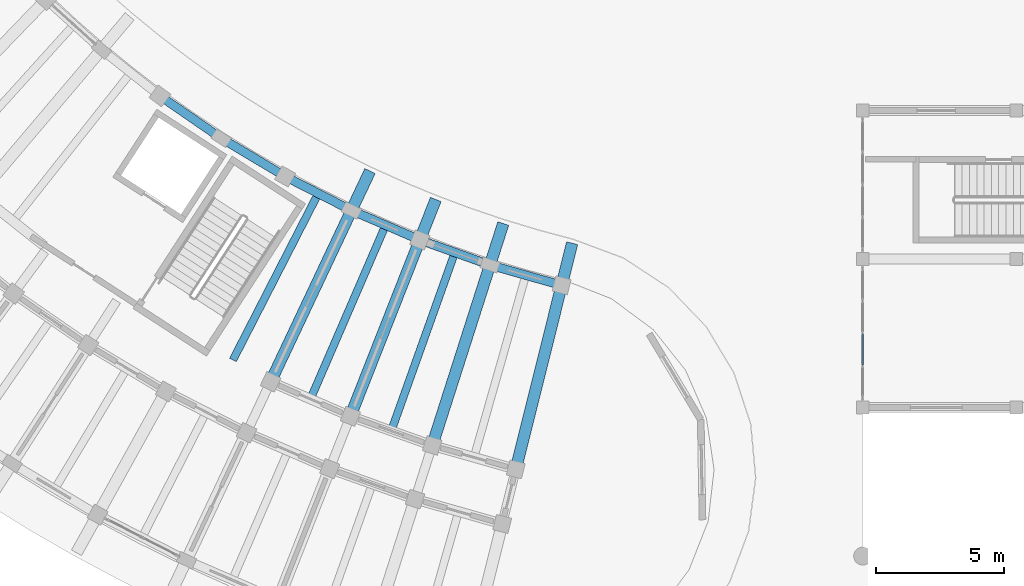
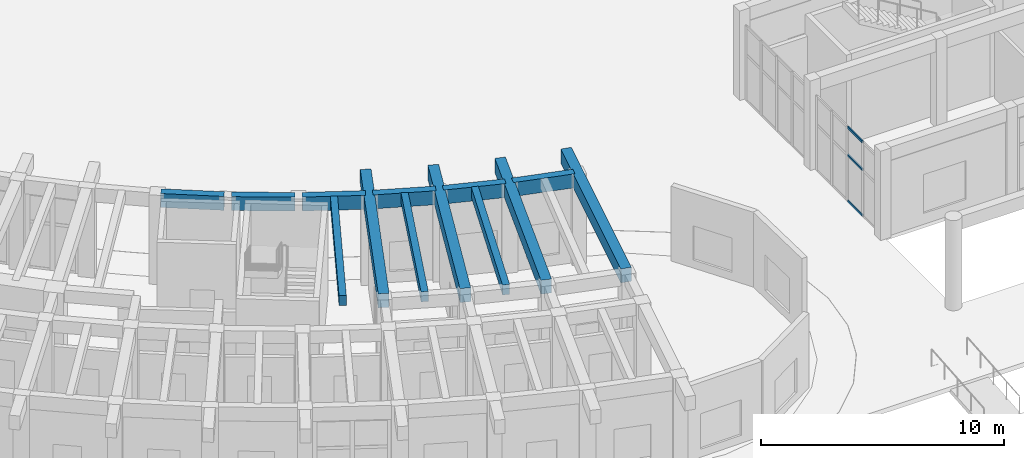
# One storey, part 12 of 132: 13 beams, 3 members, 1 element without a shape of its own.
"""IFC4 building model written with IfcOpenShell, lengths in metres."""

import ifcopenshell
import ifcopenshell.guid

model = None  # the IFC model being written
_history = None  # IfcOwnerHistory: only IFC2X3 demands one
_inside = {}  # id of a spatial element -> (the spatial element, [elements in it])
_under = {}  # id of a project, library or spatial element -> (it, [spatial elements below it])
_declared = {}  # id of a project -> (the project, [libraries it declares])
_typed = {}  # id of a type object -> (the type object, [elements of that type])
_made_of = {}  # id of a material, layer set ... -> (it, [elements and type objects made of it])


def new_model(schema):
    """Start an empty IFC model of exactly this schema.

    Asked for "IFC4X3", IfcOpenShell would pick the latest addendum, in which some entities
    have other attributes; the version numbers below select the first issue.
    IFC2X3 requires an IfcOwnerHistory on every rooted entity: one is made here for all.
    """
    global model, _history
    if schema == "IFC4X3":
        model = ifcopenshell.file(schema_version=(4, 3, 0, 0))
    else:
        model = ifcopenshell.file(schema=schema)
    _inside.clear()
    _under.clear()
    _declared.clear()
    _typed.clear()
    _made_of.clear()
    _history = None
    if model.schema == "IFC2X3":
        org = make("IfcOrganization", Name="unknown")
        user = make(
            "IfcPersonAndOrganization",
            ThePerson=make("IfcPerson", FamilyName="unknown"),
            TheOrganization=org,
        )
        app = make(
            "IfcApplication",
            ApplicationDeveloper=org,
            Version="unknown",
            ApplicationFullName="unknown",
            ApplicationIdentifier="unknown",
        )
        _history = make(
            "IfcOwnerHistory",
            OwningUser=user,
            OwningApplication=app,
            ChangeAction="ADDED",
            CreationDate=0,
        )
    return model


def make(cls, **values):
    """One entity of the class cls with the attributes given. An attribute that is None is left unset."""
    return model.create_entity(
        cls, **{name: value for name, value in values.items() if value is not None}
    )


def rooted(cls, **values):
    """An entity with a GlobalId (a new one), such as an element, a storey or a relation."""
    return make(cls, GlobalId=ifcopenshell.guid.new(), OwnerHistory=_history, **values)


def si_unit(unit_type, name, prefix=None):
    """IfcSIUnit, for example si_unit("LENGTHUNIT", "METRE", prefix="MILLI")."""
    return make("IfcSIUnit", UnitType=unit_type, Prefix=prefix, Name=name)


def assignment(units):
    """IfcUnitAssignment: the units of a project."""
    return None if units is None else make("IfcUnitAssignment", Units=units)


def point(xyz):
    """IfcCartesianPoint."""
    return None if xyz is None else make("IfcCartesianPoint", Coordinates=xyz)


def direction(xyz):
    """IfcDirection."""
    return None if xyz is None else make("IfcDirection", DirectionRatios=xyz)


def frame(location, z_axis=None, x_axis=None):
    """IfcAxis2Placement3D, a coordinate frame: its origin and axes. An axis left out is left unset."""
    return make(
        "IfcAxis2Placement3D",
        Location=point(location),
        Axis=direction(z_axis),
        RefDirection=direction(x_axis),
    )


def frame_2d(location, x_axis=None):
    """IfcAxis2Placement2D, a coordinate frame in the plane: its origin and x axis."""
    return make(
        "IfcAxis2Placement2D", Location=point(location), RefDirection=direction(x_axis)
    )


def origin():
    """The frame at (0, 0, 0) with its axes left unset."""
    return frame((0.0, 0.0, 0.0))


def origin_2d():
    """The frame at (0, 0) in the plane with its x axis left unset."""
    return frame_2d((0.0, 0.0))


def place(relative_to, where):
    """IfcLocalPlacement: puts the frame where relative to a parent placement (None: the world)."""
    return make(
        "IfcLocalPlacement", PlacementRelTo=relative_to, RelativePlacement=where
    )


def context(
    kind, dimensions, precision=None, world=None, true_north=None, identifier=None
):
    """IfcGeometricRepresentationContext, for example the 3D "Model" context."""
    return make(
        "IfcGeometricRepresentationContext",
        ContextIdentifier=identifier,
        ContextType=kind,
        CoordinateSpaceDimension=dimensions,
        Precision=precision,
        WorldCoordinateSystem=world,
        TrueNorth=true_north,
    )


def subcontext(parent, identifier, kind, view, scale=None):
    """IfcGeometricRepresentationSubContext, for example "Body" below "Model"."""
    return make(
        "IfcGeometricRepresentationSubContext",
        ContextIdentifier=identifier,
        ContextType=kind,
        ParentContext=parent,
        TargetScale=scale,
        TargetView=view,
    )


def project(units=None, contexts=None):
    """IfcProject with its units and contexts."""
    return rooted(
        "IfcProject",
        Name="project",
        RepresentationContexts=contexts,
        UnitsInContext=assignment(units),
    )


def spatial(cls, under=None, at=None, **own):
    """A site, building, storey or space (cls), placed at a placement, below another one or the project."""
    s = rooted(cls, ObjectPlacement=at, **own)
    if under is not None:
        _under.setdefault(under.id(), (under, []))[1].append(s)
    return s


def profile(cls, at=None, kind="AREA", **sizes):
    """A parametric profile (cls). Its sizes go by their IFC names, for example OverallWidth=200.0."""
    return make(cls, ProfileType=kind, Position=at, **sizes)


def rectangle(**sizes):
    """IfcRectangleProfileDef."""
    return profile("IfcRectangleProfileDef", **sizes)


def hollow_rectangle(**sizes):
    """IfcRectangleHollowProfileDef."""
    return profile("IfcRectangleHollowProfileDef", **sizes)


def extrude(swept, where, along, depth):
    """IfcExtrudedAreaSolid: the profile swept, set in the frame where, extruded along a direction by depth."""
    return make(
        "IfcExtrudedAreaSolid",
        SweptArea=swept,
        Position=where,
        ExtrudedDirection=direction(along),
        Depth=depth,
    )


def shape(context_of_items, identifier, shape_type, items):
    """IfcShapeRepresentation: the items that make up one representation, for example the "Body"."""
    return make(
        "IfcShapeRepresentation",
        ContextOfItems=context_of_items,
        RepresentationIdentifier=identifier,
        RepresentationType=shape_type,
        Items=items,
    )


def material(Name=None, Category=None):
    """IfcMaterial."""
    return make("IfcMaterial", Name=Name, Category=Category)


def material_profile(
    of_material, cross_section, Name=None, Category=None, Priority=None
):
    """IfcMaterialProfile: a cross section and its material."""
    return make(
        "IfcMaterialProfile",
        Name=Name,
        Material=of_material,
        Profile=cross_section,
        Priority=Priority,
        Category=Category,
    )


def profile_set(profiles, Name=None, composite=None):
    """IfcMaterialProfileSet."""
    return make(
        "IfcMaterialProfileSet",
        Name=Name,
        MaterialProfiles=profiles,
        CompositeProfile=composite,
    )


def made_of(thing, what):
    """Note that an element or type object is made of a material, layer set ...; save() writes the relation."""
    if what is not None:
        _made_of.setdefault(what.id(), (what, []))[1].append(thing)
    return thing


def type_object(cls, material=None, **own):
    """A type object (cls), such as IfcWallType, which elements share."""
    return made_of(rooted(cls, **own), material)


def element(
    cls,
    number,
    at=None,
    inside=None,
    cuts=None,
    type_object=None,
    material=None,
    context=None,
    identifier="Body",
    shape_type=None,
    held_by="IfcProductDefinitionShape",
    body=None,
    shapes=None,
    **own,
):
    """One element of the class cls, such as IfcWall. Its Tag is "e" and its number.

    at: its placement. inside: the storey or other place that contains it. cuts: it is an
    opening in that element (IfcRelVoidsElement). A single representation is given by context,
    identifier, shape_type and body (its items); several are given by shapes. held_by: the class
    of the entity that holds the representations. save() writes the other relations.
    """
    e = rooted(cls, Tag="e%d" % number, ObjectPlacement=at, **own)
    if body is not None:
        shapes = [shape(context, identifier, shape_type, body)]
    if shapes is not None:
        e.Representation = make(held_by, Representations=shapes)
    if inside is not None:
        _inside.setdefault(inside.id(), (inside, []))[1].append(e)
    if cuts is not None:
        rooted(
            "IfcRelVoidsElement", RelatingBuildingElement=cuts, RelatedOpeningElement=e
        )
    if type_object is not None:
        _typed.setdefault(type_object.id(), (type_object, []))[1].append(e)
    return made_of(e, material)


def aggregate(whole, parts):
    """IfcRelAggregates: a whole, such as a stair, and the parts it consists of."""
    return rooted("IfcRelAggregates", RelatingObject=whole, RelatedObjects=parts)


def save(model, path):
    """Write the relations noted so far, then the file.

    IfcRelAggregates (storeys below a building ...), IfcRelContainedInSpatialStructure (elements
    in a storey), IfcRelDefinesByType, IfcRelAssociatesMaterial and IfcRelDeclares: one each for
    every whole, place, type object, material and project.
    """
    for whole, parts in _under.values():
        aggregate(whole, parts)
    for where, things in _inside.values():
        rooted(
            "IfcRelContainedInSpatialStructure",
            RelatedElements=things,
            RelatingStructure=where,
        )
    for kind, things in _typed.values():
        rooted("IfcRelDefinesByType", RelatedObjects=things, RelatingType=kind)
    for what, things in _made_of.values():
        rooted("IfcRelAssociatesMaterial", RelatedObjects=things, RelatingMaterial=what)
    for by, libraries in _declared.values():
        rooted("IfcRelDeclares", RelatingContext=by, RelatedDefinitions=libraries)
    model.write(path)


model = new_model("IFC4")

# Units and contexts
model_context = context("Model", 3, precision=1e-05, world=origin(), true_north=direction((0.0, 1.0)))
body_context = subcontext(model_context, "Body", "Model", "MODEL_VIEW")
ifc_project = project(units=[si_unit("LENGTHUNIT", "METRE"), si_unit("AREAUNIT", "SQUARE_METRE"), si_unit("VOLUMEUNIT", "CUBIC_METRE"), si_unit("PLANEANGLEUNIT", "RADIAN"), si_unit("MASSUNIT", "GRAM", prefix="KILO")], contexts=[model_context])

# Site, building, storey
site_placement = place(None, origin())
site = spatial("IfcSite", under=ifc_project, at=site_placement, CompositionType="ELEMENT")
building_placement = place(site_placement, origin())
building = spatial("IfcBuilding", under=site, at=building_placement, Name="Tanwirah Colonnade Gardens", CompositionType="ELEMENT")
storey_placement = place(building_placement, origin())
storey = spatial("IfcBuildingStorey", under=building, at=storey_placement, Name="L00", CompositionType="ELEMENT", Elevation=0.0)

# Beams
ifc_material_1 = material(Name="Precast concrete C45/55", Category="concrete")
ifc_material_profile_1 = material_profile(ifc_material_1, rectangle(XDim=0.449951171875, YDim=0.699951171875, at=origin_2d()), Name="PC-BM 450x700")
ifc_profile_set_1 = profile_set([ifc_material_profile_1], Name="Precast concrete C45/55")
beam_type_1 = type_object("IfcBeamType", Name="BM-PC450", PredefinedType="BEAM", material=ifc_profile_set_1)
for number, where, z_axis, x_axis, name in (
    (1, (42.9462890625, 17.73974609375, 4.135009765625), (0.426582468098, 0.904448670689, 0.0), (-0.904448670689, 0.426582468098, 0.0), "Block C L00 Inner Radial Precast Girder 13"),
    (2, (46.052001953125, 16.3974609375, 4.135009765625), (0.36648945479, 0.930422204984, 0.0), (-0.930422204984, 0.36648945479, 0.0), "Block C L00 Inner Radial Precast Girder 14"),
    (3, (49.238525390625, 15.26123046875, 4.135009765625), (0.304862826508, 0.952396270999, 0.0), (-0.952396270999, 0.304862826508, 0.0), "Block C L00 Inner Radial Precast Girder 15"),
    (4, (52.49267578125, 14.335693359375, 4.135009765625), (0.241932243826, 0.970293146115, 0.0), (-0.970293146115, 0.241932243826, 0.0), "Block C L00 Inner Radial Precast Girder 16"),
):
    element("IfcBeam", number, at=place(storey_placement, frame(where, z_axis=z_axis, x_axis=x_axis)), inside=storey, type_object=beam_type_1, Name=name, PredefinedType="BEAM", context=body_context, shape_type="SweptSolid", body=[
        extrude(rectangle(XDim=0.449951171875, YDim=0.699951171875, at=origin_2d()), origin(), (0.0, 0.0, 1.0), 8.949951171875),
    ])

# Curtain wall, members
ifc_material_2 = material(Name="Bronze-anodised aluminium and solar-control low-E glass", Category="aluminium")
curtain_wall_type = type_object("IfcCurtainWallType", Name="CW-SHP", PredefinedType="NOTDEFINED", material=ifc_material_2)
curtain_wall_placement = place(storey_placement, origin())
curtain_wall = element("IfcCurtainWall", 5, at=curtain_wall_placement, inside=storey, type_object=curtain_wall_type, Name="Curtain Wall CW-SHP-W-L00-W-1", PredefinedType="NOTDEFINED")
ifc_material_3 = material(Name="Bronze-anodised aluminium", Category="aluminium")
ifc_material_profile_2 = material_profile(ifc_material_3, hollow_rectangle(XDim=0.06005859375, YDim=0.1201171875, WallThickness=0.00390625, at=origin_2d()), Name="CW-TRN 60x120x4")
ifc_profile_set_2 = profile_set([ifc_material_profile_2], Name="Bronze-anodised aluminium")
member_type = type_object("IfcMemberType", Name="CWT-60x120", PredefinedType="USERDEFINED", material=ifc_profile_set_2)
member_1_placement = place(storey_placement, frame((66.0, 18.2548828125, 0.030029296875), z_axis=(0.0, 1.0, 0.0), x_axis=(-1.0, 0.0, 0.0)))
member_1 = element("IfcMember", 6, at=member_1_placement, type_object=member_type, Name="CW-SHP transom 2.1", ObjectType="TRANSOM", PredefinedType="USERDEFINED", context=body_context, shape_type="SweptSolid", body=[
    extrude(hollow_rectangle(XDim=0.06005859375, YDim=0.1201171875, WallThickness=0.00390625, at=origin_2d()), origin(), (0.0, 0.0, 1.0), 1.215087890625),
])
member_2_placement = place(storey_placement, frame((66.0, 18.2548828125, 2.324951171875), z_axis=(0.0, 1.0, 0.0), x_axis=(-1.0, 0.0, 0.0)))
member_2 = element("IfcMember", 7, at=member_2_placement, type_object=member_type, Name="CW-SHP transom 2.2", ObjectType="TRANSOM", PredefinedType="USERDEFINED", context=body_context, shape_type="SweptSolid", body=[
    extrude(hollow_rectangle(XDim=0.06005859375, YDim=0.1201171875, WallThickness=0.00390625, at=origin_2d()), origin(), (0.0, 0.0, 1.0), 1.215087890625),
])
member_3_placement = place(storey_placement, frame((66.0, 18.2548828125, 3.719970703125), z_axis=(0.0, 1.0, 0.0), x_axis=(-1.0, 0.0, 0.0)))
member_3 = element("IfcMember", 8, at=member_3_placement, type_object=member_type, Name="CW-SHP transom 2.3", ObjectType="TRANSOM", PredefinedType="USERDEFINED", context=body_context, shape_type="SweptSolid", body=[
    extrude(hollow_rectangle(XDim=0.06005859375, YDim=0.1201171875, WallThickness=0.00390625, at=origin_2d()), origin(), (0.0, 0.0, 1.0), 1.215087890625),
])
aggregate(curtain_wall, [member_1, member_2, member_3])

# Beams
ifc_material_4 = material(Name="Precast concrete C40/50", Category="concrete")
ifc_material_profile_3 = material_profile(ifc_material_4, rectangle(XDim=0.300048828125, YDim=0.5, at=origin_2d()), Name="PC-JST 300x500")
ifc_profile_set_3 = profile_set([ifc_material_profile_3], Name="Precast concrete C40/50")
beam_type_2 = type_object("IfcBeamType", Name="JST-PC300", PredefinedType="JOIST", material=ifc_profile_set_3)
for number, where, z_axis, x_axis, name in (
    (9, (44.678955078125, 24.83203125, 4.235107421875), (-0.455921327553, -0.890020080157, 0.0), (0.890020080157, -0.455921327553, 0.0), "Block C L00 Inner Precast Floor Joist 12"),
    (10, (47.31689453125, 23.587890625, 4.235107421875), (-0.396736454079, -0.917932560706, 0.0), (0.917932560706, -0.396736454079, 0.0), "Block C L00 Inner Precast Floor Joist 13"),
):
    element("IfcBeam", number, at=place(storey_placement, frame(where, z_axis=z_axis, x_axis=x_axis)), inside=storey, type_object=beam_type_2, Name=name, PredefinedType="JOIST", context=body_context, shape_type="SweptSolid", body=[
        extrude(rectangle(XDim=0.300048828125, YDim=0.5, at=origin_2d()), origin(), (0.0, 0.0, 1.0), 7.159912109375),
    ])
beam_1_placement = place(storey_placement, frame((50.030517578125, 22.51904296875, 4.235107421875), z_axis=(-0.335861148107, -0.941911508154, 0.0), x_axis=(0.941911508154, -0.335861148107, 0.0)))
element("IfcBeam", 11, at=beam_1_placement, inside=storey, type_object=beam_type_2, Name="Block C L00 Inner Precast Floor Joist 14", PredefinedType="JOIST", context=body_context, shape_type="SweptSolid", body=[
    extrude(rectangle(XDim=0.300048828125, YDim=0.5, at=origin_2d()), origin(), (0.0, 0.0, 1.0), 7.16015625),
])
ifc_material_profile_4 = material_profile(ifc_material_1, rectangle(XDim=0.340087890625, YDim=0.699951171875, at=origin_2d()), Name="PC-SP 340x700")
ifc_profile_set_4 = profile_set([ifc_material_profile_4], Name="Precast concrete C45/55")
beam_type_3 = type_object("IfcBeamType", Name="SP-PC340", PredefinedType="SPANDREL", material=ifc_profile_set_4)
beam_2_placement = place(storey_placement, frame((38.68359375, 28.683349609375, 4.135009765625), z_axis=(0.822868771031, -0.568231454305, 0.0), x_axis=(0.568231454305, 0.822868771031, 0.0)))
element("IfcBeam", 12, at=beam_2_placement, inside=storey, type_object=beam_type_3, Name="Block C L00 Circumferential Beam 10-R0", PredefinedType="SPANDREL", context=body_context, shape_type="SweptSolid", body=[
    extrude(rectangle(XDim=0.340087890625, YDim=0.699951171875, at=origin_2d()), origin(), (0.0, 0.0, 1.0), 2.60888671875),
])
for number, where, z_axis, x_axis, name in (
    (13, (41.08251953125, 27.038818359375, 4.135009765625), (0.858301131151, -0.513146341958, 0.0), (0.513146341958, 0.858301131151, 0.0), "Block C L00 Circumferential Beam 11-R0"),
    (14, (43.583740234375, 25.5546875, 4.135009765625), (0.890042438658, -0.455877678097, 0.0), (0.455877678097, 0.890042438658, 0.0), "Block C L00 Circumferential Beam 12-R0"),
    (15, (46.1767578125, 24.237548828125, 4.135009765625), (0.917901260915, -0.396808864833, 0.0), (0.396808864833, 0.917901260915, 0.0), "Block C L00 Circumferential Beam 13-R0"),
    (16, (48.850341796875, 23.092529296875, 4.135009765625), (0.941898499992, -0.335897626835, 0.0), (0.335897626835, 0.941898499992, 0.0), "Block C L00 Circumferential Beam 14-R0"),
):
    element("IfcBeam", number, at=place(storey_placement, frame(where, z_axis=z_axis, x_axis=x_axis)), inside=storey, type_object=beam_type_3, Name=name, PredefinedType="SPANDREL", context=body_context, shape_type="SweptSolid", body=[
        extrude(rectangle(XDim=0.340087890625, YDim=0.699951171875, at=origin_2d()), origin(), (0.0, 0.0, 1.0), 2.608642578125),
    ])
beam_3_placement = place(storey_placement, frame((51.593017578125, 22.125, 4.135009765625), z_axis=(0.961858721299, -0.273546705814, 0.0), x_axis=(0.273546705814, 0.961858721299, 0.0)))
element("IfcBeam", 17, at=beam_3_placement, inside=storey, type_object=beam_type_3, Name="Block C L00 Circumferential Beam 15-R0", PredefinedType="SPANDREL", context=body_context, shape_type="SweptSolid", body=[
    extrude(rectangle(XDim=0.340087890625, YDim=0.699951171875, at=origin_2d()), origin(), (0.0, 0.0, 1.0), 2.60888671875),
])

save(model, "model.ifc")
